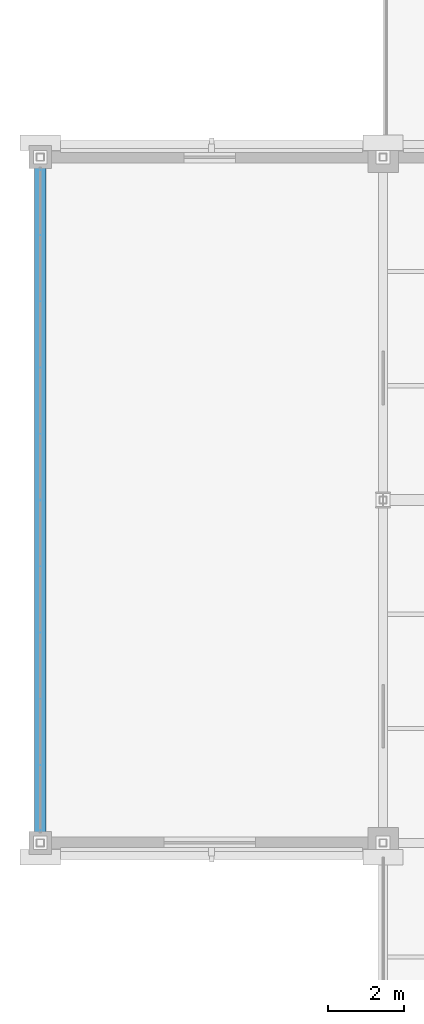
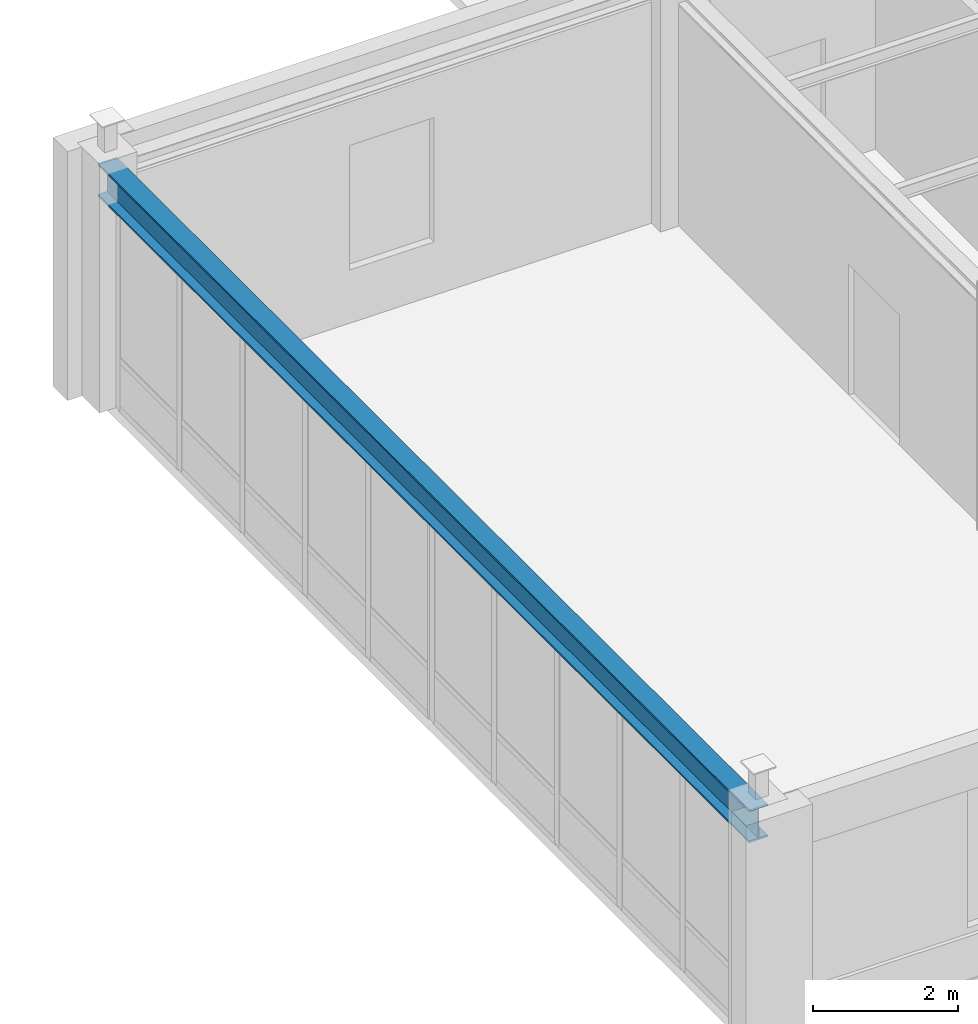
# One storey, part 20 of 36: 1 beam.
"""IFC4 building model written with IfcOpenShell, lengths in metres."""

from ifc_helpers import new_model, si_unit, direction, frame, origin, origin_2d, place, context, subcontext, project, spatial, i_section, extrude, material, material_profile, profile_set, type_object, element, save


model = new_model("IFC4")

# Units and contexts
model_context = context("Model", 3, precision=1e-05, world=origin(), true_north=direction((0.0, 1.0)))
body_context = subcontext(model_context, "Body", "Model", "MODEL_VIEW")
ifc_project = project(units=[si_unit("LENGTHUNIT", "METRE"), si_unit("AREAUNIT", "SQUARE_METRE"), si_unit("VOLUMEUNIT", "CUBIC_METRE"), si_unit("PLANEANGLEUNIT", "RADIAN"), si_unit("MASSUNIT", "GRAM", prefix="KILO")], contexts=[model_context])

# Site, building, storey
site_placement = place(None, origin())
site = spatial("IfcSite", under=ifc_project, at=site_placement, CompositionType="ELEMENT")
building_placement = place(site_placement, origin())
building = spatial("IfcBuilding", under=site, at=building_placement, Name="Lykobir Media Centre", CompositionType="ELEMENT")
storey_placement = place(building_placement, frame((0.0, 0.0, 27.60009765625)))
storey = spatial("IfcBuildingStorey", under=building, at=storey_placement, Name="L06", CompositionType="ELEMENT", Elevation=27.60009765625)

# Beam
ifc_material = material(Name="Steel S355", Category="steel")
ifc_material_profile = material_profile(ifc_material, i_section(OverallWidth=0.300048828125, OverallDepth=0.550048828125, WebThickness=0.014892578125, FlangeThickness=0.029052734375, at=origin_2d()), Name="HEB 550")
ifc_profile_set = profile_set([ifc_material_profile], Name="Steel S355")
beam_type = type_object("IfcBeamType", Name="BM-HEB550", PredefinedType="BEAM", material=ifc_profile_set)
beam_placement = place(storey_placement, frame((18.0, 27.0, 3.704833984375), z_axis=(0.0, 1.0, 0.0), x_axis=(-1.0, 0.0, 0.0)))
element("IfcBeam", 1, at=beam_placement, inside=storey, type_object=beam_type, Name="Beam BM-L06-0180-0270-0180-0450-3130", PredefinedType="BEAM", context=body_context, shape_type="SweptSolid", body=[
    extrude(i_section(OverallWidth=0.300048828125, OverallDepth=0.550048828125, WebThickness=0.014892578125, FlangeThickness=0.029052734375, at=origin_2d()), origin(), (0.0, 0.0, 1.0), 18.0),
])

save(model, "model.ifc")
